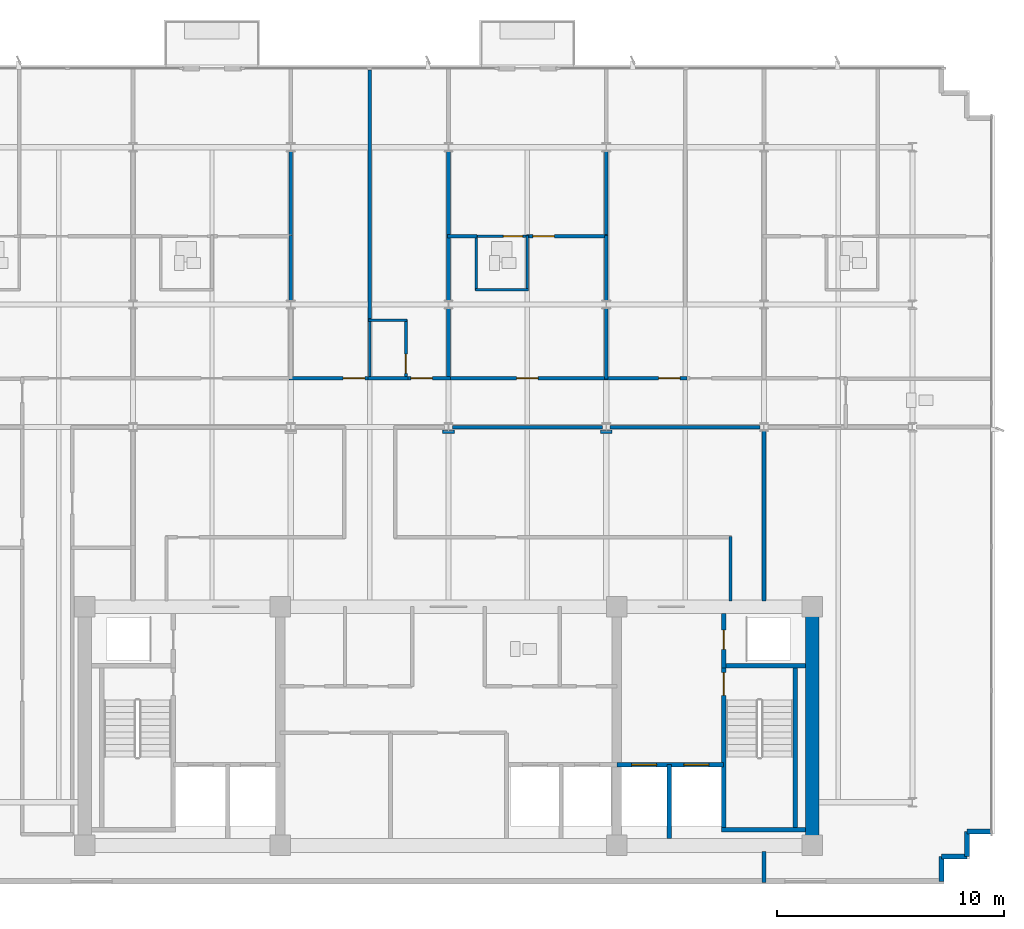
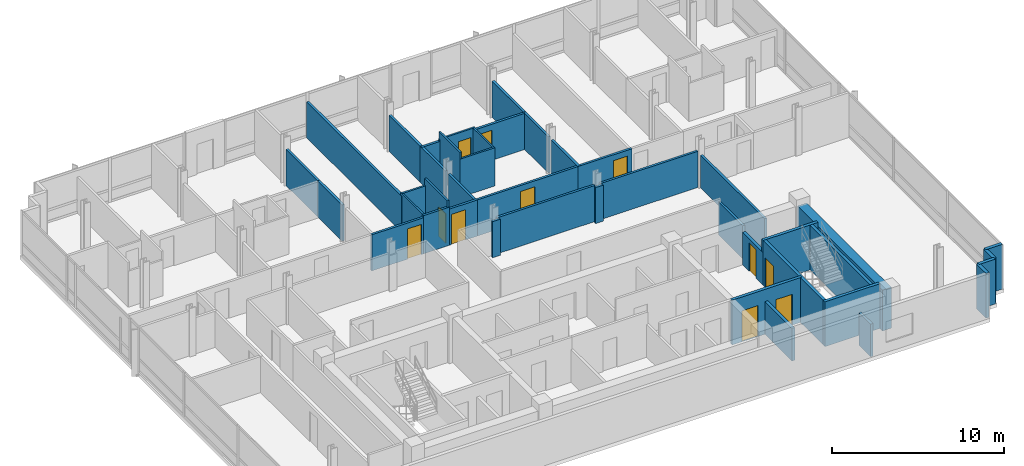
# One storey, part 10 of 15: 42 walls, 11 doors, 11 openings.
"""IFC4 building model written with IfcOpenShell, lengths in metres."""

import ifcopenshell
import ifcopenshell.guid

model = None  # the IFC model being written
_history = None  # IfcOwnerHistory: only IFC2X3 demands one
_inside = {}  # id of a spatial element -> (the spatial element, [elements in it])
_under = {}  # id of a project, library or spatial element -> (it, [spatial elements below it])
_declared = {}  # id of a project -> (the project, [libraries it declares])
_typed = {}  # id of a type object -> (the type object, [elements of that type])
_made_of = {}  # id of a material, layer set ... -> (it, [elements and type objects made of it])


def new_model(schema):
    """Start an empty IFC model of exactly this schema.

    Asked for "IFC4X3", IfcOpenShell would pick the latest addendum, in which some entities
    have other attributes; the version numbers below select the first issue.
    IFC2X3 requires an IfcOwnerHistory on every rooted entity: one is made here for all.
    """
    global model, _history
    if schema == "IFC4X3":
        model = ifcopenshell.file(schema_version=(4, 3, 0, 0))
    else:
        model = ifcopenshell.file(schema=schema)
    _inside.clear()
    _under.clear()
    _declared.clear()
    _typed.clear()
    _made_of.clear()
    _history = None
    if model.schema == "IFC2X3":
        org = make("IfcOrganization", Name="unknown")
        user = make(
            "IfcPersonAndOrganization",
            ThePerson=make("IfcPerson", FamilyName="unknown"),
            TheOrganization=org,
        )
        app = make(
            "IfcApplication",
            ApplicationDeveloper=org,
            Version="unknown",
            ApplicationFullName="unknown",
            ApplicationIdentifier="unknown",
        )
        _history = make(
            "IfcOwnerHistory",
            OwningUser=user,
            OwningApplication=app,
            ChangeAction="ADDED",
            CreationDate=0,
        )
    return model


def make(cls, **values):
    """One entity of the class cls with the attributes given. An attribute that is None is left unset."""
    return model.create_entity(
        cls, **{name: value for name, value in values.items() if value is not None}
    )


def rooted(cls, **values):
    """An entity with a GlobalId (a new one), such as an element, a storey or a relation."""
    return make(cls, GlobalId=ifcopenshell.guid.new(), OwnerHistory=_history, **values)


def si_unit(unit_type, name, prefix=None):
    """IfcSIUnit, for example si_unit("LENGTHUNIT", "METRE", prefix="MILLI")."""
    return make("IfcSIUnit", UnitType=unit_type, Prefix=prefix, Name=name)


def assignment(units):
    """IfcUnitAssignment: the units of a project."""
    return None if units is None else make("IfcUnitAssignment", Units=units)


def point(xyz):
    """IfcCartesianPoint."""
    return None if xyz is None else make("IfcCartesianPoint", Coordinates=xyz)


def direction(xyz):
    """IfcDirection."""
    return None if xyz is None else make("IfcDirection", DirectionRatios=xyz)


def frame(location, z_axis=None, x_axis=None):
    """IfcAxis2Placement3D, a coordinate frame: its origin and axes. An axis left out is left unset."""
    return make(
        "IfcAxis2Placement3D",
        Location=point(location),
        Axis=direction(z_axis),
        RefDirection=direction(x_axis),
    )


def frame_2d(location, x_axis=None):
    """IfcAxis2Placement2D, a coordinate frame in the plane: its origin and x axis."""
    return make(
        "IfcAxis2Placement2D", Location=point(location), RefDirection=direction(x_axis)
    )


def origin():
    """The frame at (0, 0, 0) with its axes left unset."""
    return frame((0.0, 0.0, 0.0))


def place(relative_to, where):
    """IfcLocalPlacement: puts the frame where relative to a parent placement (None: the world)."""
    return make(
        "IfcLocalPlacement", PlacementRelTo=relative_to, RelativePlacement=where
    )


def context(
    kind, dimensions, precision=None, world=None, true_north=None, identifier=None
):
    """IfcGeometricRepresentationContext, for example the 3D "Model" context."""
    return make(
        "IfcGeometricRepresentationContext",
        ContextIdentifier=identifier,
        ContextType=kind,
        CoordinateSpaceDimension=dimensions,
        Precision=precision,
        WorldCoordinateSystem=world,
        TrueNorth=true_north,
    )


def subcontext(parent, identifier, kind, view, scale=None):
    """IfcGeometricRepresentationSubContext, for example "Body" below "Model"."""
    return make(
        "IfcGeometricRepresentationSubContext",
        ContextIdentifier=identifier,
        ContextType=kind,
        ParentContext=parent,
        TargetScale=scale,
        TargetView=view,
    )


def project(units=None, contexts=None):
    """IfcProject with its units and contexts."""
    return rooted(
        "IfcProject",
        Name="project",
        RepresentationContexts=contexts,
        UnitsInContext=assignment(units),
    )


def spatial(cls, under=None, at=None, **own):
    """A site, building, storey or space (cls), placed at a placement, below another one or the project."""
    s = rooted(cls, ObjectPlacement=at, **own)
    if under is not None:
        _under.setdefault(under.id(), (under, []))[1].append(s)
    return s


def profile(cls, at=None, kind="AREA", **sizes):
    """A parametric profile (cls). Its sizes go by their IFC names, for example OverallWidth=200.0."""
    return make(cls, ProfileType=kind, Position=at, **sizes)


def rectangle(**sizes):
    """IfcRectangleProfileDef."""
    return profile("IfcRectangleProfileDef", **sizes)


def extrude(swept, where, along, depth):
    """IfcExtrudedAreaSolid: the profile swept, set in the frame where, extruded along a direction by depth."""
    return make(
        "IfcExtrudedAreaSolid",
        SweptArea=swept,
        Position=where,
        ExtrudedDirection=direction(along),
        Depth=depth,
    )


def shape(context_of_items, identifier, shape_type, items):
    """IfcShapeRepresentation: the items that make up one representation, for example the "Body"."""
    return make(
        "IfcShapeRepresentation",
        ContextOfItems=context_of_items,
        RepresentationIdentifier=identifier,
        RepresentationType=shape_type,
        Items=items,
    )


def material(Name=None, Category=None):
    """IfcMaterial."""
    return make("IfcMaterial", Name=Name, Category=Category)


def layer(
    of_material, thickness, ventilated=None, Name=None, Category=None, Priority=None
):
    """IfcMaterialLayer: one layer of a wall or slab, of a material (None: an air gap)."""
    return make(
        "IfcMaterialLayer",
        Material=of_material,
        LayerThickness=thickness,
        IsVentilated=ventilated,
        Name=Name,
        Category=Category,
        Priority=Priority,
    )


def layer_set(layers, Name=None):
    """IfcMaterialLayerSet."""
    return make("IfcMaterialLayerSet", MaterialLayers=layers, LayerSetName=Name)


def made_of(thing, what):
    """Note that an element or type object is made of a material, layer set ...; save() writes the relation."""
    if what is not None:
        _made_of.setdefault(what.id(), (what, []))[1].append(thing)
    return thing


def type_object(cls, material=None, **own):
    """A type object (cls), such as IfcWallType, which elements share."""
    return made_of(rooted(cls, **own), material)


def element(
    cls,
    number,
    at=None,
    inside=None,
    cuts=None,
    type_object=None,
    material=None,
    context=None,
    identifier="Body",
    shape_type=None,
    held_by="IfcProductDefinitionShape",
    body=None,
    shapes=None,
    **own,
):
    """One element of the class cls, such as IfcWall. Its Tag is "e" and its number.

    at: its placement. inside: the storey or other place that contains it. cuts: it is an
    opening in that element (IfcRelVoidsElement). A single representation is given by context,
    identifier, shape_type and body (its items); several are given by shapes. held_by: the class
    of the entity that holds the representations. save() writes the other relations.
    """
    e = rooted(cls, Tag="e%d" % number, ObjectPlacement=at, **own)
    if body is not None:
        shapes = [shape(context, identifier, shape_type, body)]
    if shapes is not None:
        e.Representation = make(held_by, Representations=shapes)
    if inside is not None:
        _inside.setdefault(inside.id(), (inside, []))[1].append(e)
    if cuts is not None:
        rooted(
            "IfcRelVoidsElement", RelatingBuildingElement=cuts, RelatedOpeningElement=e
        )
    if type_object is not None:
        _typed.setdefault(type_object.id(), (type_object, []))[1].append(e)
    return made_of(e, material)


def fill(opening, filler):
    """IfcRelFillsElement: the door or window that sits in an opening."""
    return rooted(
        "IfcRelFillsElement",
        RelatingOpeningElement=opening,
        RelatedBuildingElement=filler,
    )


def aggregate(whole, parts):
    """IfcRelAggregates: a whole, such as a stair, and the parts it consists of."""
    return rooted("IfcRelAggregates", RelatingObject=whole, RelatedObjects=parts)


def save(model, path):
    """Write the relations noted so far, then the file.

    IfcRelAggregates (storeys below a building ...), IfcRelContainedInSpatialStructure (elements
    in a storey), IfcRelDefinesByType, IfcRelAssociatesMaterial and IfcRelDeclares: one each for
    every whole, place, type object, material and project.
    """
    for whole, parts in _under.values():
        aggregate(whole, parts)
    for where, things in _inside.values():
        rooted(
            "IfcRelContainedInSpatialStructure",
            RelatedElements=things,
            RelatingStructure=where,
        )
    for kind, things in _typed.values():
        rooted("IfcRelDefinesByType", RelatedObjects=things, RelatingType=kind)
    for what, things in _made_of.values():
        rooted("IfcRelAssociatesMaterial", RelatedObjects=things, RelatingMaterial=what)
    for by, libraries in _declared.values():
        rooted("IfcRelDeclares", RelatingContext=by, RelatedDefinitions=libraries)
    model.write(path)


model = new_model("IFC4")

# Units and contexts
model_context = context("Model", 3, precision=1e-05, world=origin(), true_north=direction((0.0, 1.0)))
body_context = subcontext(model_context, "Body", "Model", "MODEL_VIEW")
ifc_project = project(units=[si_unit("LENGTHUNIT", "METRE"), si_unit("AREAUNIT", "SQUARE_METRE"), si_unit("VOLUMEUNIT", "CUBIC_METRE"), si_unit("PLANEANGLEUNIT", "RADIAN"), si_unit("MASSUNIT", "GRAM", prefix="KILO")], contexts=[model_context])

# Site, building, storey
site_placement = place(None, origin())
site = spatial("IfcSite", under=ifc_project, at=site_placement, CompositionType="ELEMENT")
building_placement = place(site_placement, origin())
building = spatial("IfcBuilding", under=site, at=building_placement, Name="Solmavex Isthmus Hotel", CompositionType="ELEMENT")
storey_placement = place(building_placement, frame((0.0, 0.0, 259.199951171875)))
storey = spatial("IfcBuildingStorey", under=building, at=storey_placement, Name="L70", CompositionType="ELEMENT", Elevation=259.199951171875)

# Walls
ifc_material_1 = material(Name="Precast Concrete C40/50", Category="concrete")
ifc_layer_1 = layer(ifc_material_1, 0.25)
ifc_layer_set_1 = layer_set([ifc_layer_1], Name="Precast Concrete C40/50")
wall_type_1 = type_object("IfcWallType", Name="EW-TWR-250", PredefinedType="STANDARD", material=ifc_layer_set_1)
wall_1_placement = place(storey_placement, frame((23.889892578125, -12.389892578125, 0.0), z_axis=(0.0, 0.0, 1.0), x_axis=(-1.0, 0.0, 0.0)))
element("IfcWall", 1, at=wall_1_placement, inside=storey, type_object=wall_type_1, Name="Serrated Corner Facade Panel L70-16", PredefinedType="STANDARD", context=body_context, shape_type="SweptSolid", body=[
    extrude(rectangle(XDim=1.099853515625, YDim=0.219970703125, at=frame_2d((0.5498046875, 0.0))), origin(), (0.0, 0.0, 1.0), 3.18994140625),
])
for number, where, z_axis, x_axis, name in (
    (2, (22.7900390625, -12.389892578125, 0.0), (0.0, 0.0, 1.0), (0.0, -1.0, 0.0), "Serrated Corner Facade Panel L70-17"),
    (3, (22.7900390625, -13.489990234375, 0.0), (0.0, 0.0, 1.0), (-1.0, 0.0, 0.0), "Serrated Corner Facade Panel L70-18"),
    (4, (21.68994140625, -13.489990234375, 0.0), (0.0, 0.0, 1.0), (0.0, -1.0, 0.0), "Serrated Corner Facade Panel L70-19"),
):
    element("IfcWall", number, at=place(storey_placement, frame(where, z_axis=z_axis, x_axis=x_axis)), inside=storey, type_object=wall_type_1, Name=name, PredefinedType="STANDARD", context=body_context, shape_type="SweptSolid", body=[
        extrude(rectangle(XDim=1.10009765625, YDim=0.219970703125, at=frame_2d((0.550048828125, 0.0))), origin(), (0.0, 0.0, 1.0), 3.18994140625),
    ])
ifc_material_2 = material(Name="Gypsum plasterboard lining", Category="gypsum")
ifc_layer_2 = layer(ifc_material_2, 0.159912109375)
ifc_layer_set_2 = layer_set([ifc_layer_2], Name="Gypsum plasterboard lining")
wall_type_2 = type_object("IfcWallType", Name="IW-COMP-160", PredefinedType="PARTITIONING", material=ifc_layer_set_2)
wall_2_placement = place(storey_placement, frame((-6.93603515625, 13.827880859375, 0.0), z_axis=(0.0, 0.0, 1.0), x_axis=(0.0, -1.0, 0.0)))
element("IfcWall", 5, at=wall_2_placement, inside=storey, type_object=wall_type_2, Name="Interior Partition Wall W-L70-P051", PredefinedType="PARTITIONING", context=body_context, shape_type="SweptSolid", body=[
    extrude(rectangle(XDim=2.864990234375, YDim=0.159912109375, at=frame_2d((1.4326171875, 0.0))), origin(), (0.0, 0.0, 1.0), 2.572265625),
])
wall_3_placement = place(storey_placement, frame((-6.93603515625, 17.52490234375, 0.0), z_axis=(0.0, 0.0, 1.0), x_axis=(0.0, -1.0, 0.0)))
element("IfcWall", 6, at=wall_3_placement, inside=storey, type_object=wall_type_2, Name="Interior Partition Wall W-L70-P053", PredefinedType="PARTITIONING", context=body_context, shape_type="SweptSolid", body=[
    extrude(rectangle(XDim=3.77685546875, YDim=0.159912109375, at=frame_2d((1.888427734375, 0.0))), origin(), (0.0, 0.0, 1.0), 2.572265625),
])
wall_4_placement = place(storey_placement, frame((-3.468017578125, 21.10009765625, 0.0), z_axis=(0.0, 0.0, 1.0), x_axis=(0.0, -1.0, 0.0)))
element("IfcWall", 7, at=wall_4_placement, inside=storey, type_object=wall_type_2, Name="Interior Partition Wall W-L70-P055", PredefinedType="PARTITIONING", context=body_context, shape_type="SweptSolid", body=[
    extrude(rectangle(XDim=11.08203125, YDim=0.159912109375, at=frame_2d((5.541015625, 0.0))), origin(), (0.0, 0.0, 1.0), 2.5576171875),
])
wall_5_placement = place(storey_placement, frame((0.0, 10.613037109375, 0.0), z_axis=(0.0, 0.0, 1.0), x_axis=(0.0, -1.0, 0.0)))
element("IfcWall", 8, at=wall_5_placement, inside=storey, type_object=wall_type_2, Name="Interior Partition Wall W-L70-P059", PredefinedType="PARTITIONING", context=body_context, shape_type="SweptSolid", body=[
    extrude(rectangle(XDim=3.10302734375, YDim=0.159912109375, at=frame_2d((1.551513671875, 0.0))), origin(), (0.0, 0.0, 1.0), 2.572265625),
])
wall_6_placement = place(storey_placement, frame((0.0, 13.8701171875, 0.0), z_axis=(0.0, 0.0, 1.0), x_axis=(0.0, -1.0, 0.0)))
element("IfcWall", 9, at=wall_6_placement, inside=storey, type_object=wall_type_2, Name="Interior Partition Wall W-L70-P060", PredefinedType="PARTITIONING", context=body_context, shape_type="SweptSolid", body=[
    extrude(rectangle(XDim=2.9072265625, YDim=0.159912109375, at=frame_2d((1.45361328125, 0.0))), origin(), (0.0, 0.0, 1.0), 2.572265625),
])
wall_7_placement = place(storey_placement, frame((0.0, 17.52490234375, 0.0), z_axis=(0.0, 0.0, 1.0), x_axis=(0.0, -1.0, 0.0)))
element("IfcWall", 10, at=wall_7_placement, inside=storey, type_object=wall_type_2, Name="Interior Partition Wall W-L70-P061", PredefinedType="PARTITIONING", context=body_context, shape_type="SweptSolid", body=[
    extrude(rectangle(XDim=3.81884765625, YDim=0.159912109375, at=frame_2d((1.909423828125, 0.0))), origin(), (0.0, 0.0, 1.0), 2.572265625),
])
wall_8_placement = place(storey_placement, frame((-0.0400390625, 13.7880859375, 0.0), z_axis=(0.0, 0.0, 1.0), x_axis=(1.0, 0.0, 0.0)))
element("IfcWall", 11, at=wall_8_placement, inside=storey, type_object=wall_type_2, Name="Interior Partition Wall W-L70-P063", PredefinedType="PARTITIONING", context=body_context, shape_type="SweptSolid", body=[
    extrude(rectangle(XDim=1.298095703125, YDim=0.159912109375, at=frame_2d((0.64892578125, 0.0))), origin(), (0.0, 0.0, 1.0), 2.572265625),
])

# Wall, opening, door
wall_9_placement = place(storey_placement, frame((3.427978515625, 13.7880859375, 0.0), z_axis=(0.0, 0.0, 1.0), x_axis=(1.0, 0.0, 0.0)))
wall_9 = element("IfcWall", 12, at=wall_9_placement, inside=storey, type_object=wall_type_2, Name="Interior Partition Wall W-L70-P064", PredefinedType="PARTITIONING", context=body_context, shape_type="SweptSolid", body=[
    extrude(rectangle(XDim=3.548095703125, YDim=0.159912109375, at=frame_2d((1.77392578125, 0.0))), origin(), (0.0, 0.0, 1.0), 2.572265625),
])
opening_1_placement = place(wall_9_placement, frame((0.279296875, 0.0, 0.0)))
opening_1 = element("IfcOpeningElement", 13, at=opening_1_placement, cuts=wall_9, Name="Opening ID-C095", PredefinedType="OPENING", context=body_context, shape_type="SweptSolid", body=[
    extrude(rectangle(XDim=0.949951171875, YDim=2.14990234375, at=frame_2d((0.47509765625, 1.074951171875))), frame((0.0, 0.08984375, 0.0), z_axis=(0.0, -1.0, 0.0), x_axis=(1.0, 0.0, 0.0)), (0.0, 0.0, 1.0), 0.179931640625),
])
ifc_material_3 = material(Name="Hardwood timber", Category="wood")
door_type_1 = type_object("IfcDoorType", Name="IDR-FD60-0950", OperationType="NOTDEFINED", PredefinedType="DOOR", material=ifc_material_3)
door_1_placement = place(opening_1_placement, origin())
door_1 = element("IfcDoor", 14, at=door_1_placement, inside=storey, type_object=door_type_1, Name="Diplomatic Suite Master Bedroom Door L70-12", OperationType="SINGLE_SWING_RIGHT", OverallHeight=2.14990234375, OverallWidth=0.949951171875, PredefinedType="DOOR", context=body_context, shape_type="SweptSolid", body=[
    extrude(rectangle(XDim=0.949951171875, YDim=2.14990234375, at=frame_2d((0.47509765625, 1.074951171875))), frame((0.0, 0.02490234375, 0.0), z_axis=(0.0, -1.0, 0.0), x_axis=(1.0, 0.0, 0.0)), (0.0, 0.0, 1.0), 0.050048828125),
])
fill(opening_1, door_1)

# Walls
wall_10_placement = place(storey_placement, frame((6.93603515625, 10.613037109375, 0.0), z_axis=(0.0, 0.0, 1.0), x_axis=(0.0, -1.0, 0.0)))
element("IfcWall", 15, at=wall_10_placement, inside=storey, type_object=wall_type_2, Name="Interior Partition Wall W-L70-P068", PredefinedType="PARTITIONING", context=body_context, shape_type="SweptSolid", body=[
    extrude(rectangle(XDim=3.10302734375, YDim=0.159912109375, at=frame_2d((1.551513671875, 0.0))), origin(), (0.0, 0.0, 1.0), 2.572265625),
])
wall_11_placement = place(storey_placement, frame((6.93603515625, 13.827880859375, 0.0), z_axis=(0.0, 0.0, 1.0), x_axis=(0.0, -1.0, 0.0)))
element("IfcWall", 16, at=wall_11_placement, inside=storey, type_object=wall_type_2, Name="Interior Partition Wall W-L70-P069", PredefinedType="PARTITIONING", context=body_context, shape_type="SweptSolid", body=[
    extrude(rectangle(XDim=2.864990234375, YDim=0.159912109375, at=frame_2d((1.4326171875, 0.0))), origin(), (0.0, 0.0, 1.0), 2.572265625),
])
wall_12_placement = place(storey_placement, frame((6.93603515625, 17.52490234375, 0.0), z_axis=(0.0, 0.0, 1.0), x_axis=(0.0, -1.0, 0.0)))
element("IfcWall", 17, at=wall_12_placement, inside=storey, type_object=wall_type_2, Name="Interior Partition Wall W-L70-P071", PredefinedType="PARTITIONING", context=body_context, shape_type="SweptSolid", body=[
    extrude(rectangle(XDim=3.77685546875, YDim=0.159912109375, at=frame_2d((1.888427734375, 0.0))), origin(), (0.0, 0.0, 1.0), 2.572265625),
])
wall_13_placement = place(storey_placement, frame((13.8720703125, 5.22509765625, 0.0), z_axis=(0.0, 0.0, 1.0), x_axis=(0.0, -1.0, 0.0)))
element("IfcWall", 18, at=wall_13_placement, inside=storey, type_object=wall_type_2, Name="Interior Partition Wall W-L70-P094", PredefinedType="PARTITIONING", context=body_context, shape_type="SweptSolid", body=[
    extrude(rectangle(XDim=7.465087890625, YDim=0.159912109375, at=frame_2d((3.732421875, 0.0))), origin(), (0.0, 0.0, 1.0), 2.324951171875),
])
wall_14_placement = place(storey_placement, frame((13.8720703125, -13.260009765625, 0.0), z_axis=(0.0, 0.0, 1.0), x_axis=(0.0, -1.0, 0.0)))
element("IfcWall", 19, at=wall_14_placement, inside=storey, type_object=wall_type_2, Name="Interior Partition Wall W-L70-P095", PredefinedType="PARTITIONING", context=body_context, shape_type="SweptSolid", body=[
    extrude(rectangle(XDim=1.360107421875, YDim=0.159912109375, at=frame_2d((0.68017578125, 0.0))), origin(), (0.0, 0.0, 1.0), 2.324951171875),
])

# Wall, opening, door
ifc_layer_3 = layer(ifc_material_2, 0.14990234375)
ifc_layer_set_3 = layer_set([ifc_layer_3], Name="Gypsum plasterboard lining")
wall_type_3 = type_object("IfcWallType", Name="IW-CORR-150", PredefinedType="PARTITIONING", material=ifc_layer_set_3)
wall_15_placement = place(storey_placement, frame((-7.01806640625, 7.550048828125, 0.0), z_axis=(0.0, 0.0, 1.0), x_axis=(1.0, 0.0, 0.0)))
wall_15 = element("IfcWall", 20, at=wall_15_placement, inside=storey, type_object=wall_type_3, Name="Interior Partition Wall W-L70-P003", PredefinedType="PARTITIONING", context=body_context, shape_type="SweptSolid", body=[
    extrude(rectangle(XDim=3.632080078125, YDim=0.14990234375, at=frame_2d((1.81591796875, 0.0))), origin(), (0.0, 0.0, 1.0), 2.572265625),
])
opening_2_placement = place(wall_15_placement, frame((2.38525390625, 0.0, 0.0)))
opening_2 = element("IfcOpeningElement", 21, at=opening_2_placement, cuts=wall_15, Name="Opening ID-C095", PredefinedType="OPENING", context=body_context, shape_type="SweptSolid", body=[
    extrude(rectangle(XDim=0.949951171875, YDim=2.14990234375, at=frame_2d((0.47509765625, 1.074951171875))), frame((0.0, 0.0849609375, 0.0), z_axis=(0.0, -1.0, 0.0), x_axis=(1.0, 0.0, 0.0)), (0.0, 0.0, 1.0), 0.169921875),
])
door_2_placement = place(opening_2_placement, origin())
door_2 = element("IfcDoor", 22, at=door_2_placement, inside=storey, type_object=door_type_1, Name="Executive Briefing Office Door L70-08", OperationType="SINGLE_SWING_RIGHT", OverallHeight=2.14990234375, OverallWidth=0.949951171875, PredefinedType="DOOR", context=body_context, shape_type="SweptSolid", body=[
    extrude(rectangle(XDim=0.949951171875, YDim=2.14990234375, at=frame_2d((0.47509765625, 1.074951171875))), frame((0.0, 0.02490234375, 0.0), z_axis=(0.0, -1.0, 0.0), x_axis=(1.0, 0.0, 0.0)), (0.0, 0.0, 1.0), 0.050048828125),
])
fill(opening_2, door_2)

wall_16_placement = place(storey_placement, frame((-1.954833984375, 7.550048828125, 0.0), z_axis=(0.0, 0.0, 1.0), x_axis=(1.0, 0.0, 0.0)))
wall_16 = element("IfcWall", 23, at=wall_16_placement, inside=storey, type_object=wall_type_3, Name="Interior Partition Wall W-L70-P004", PredefinedType="PARTITIONING", context=body_context, shape_type="SweptSolid", body=[
    extrude(rectangle(XDim=2.036865234375, YDim=0.14990234375, at=frame_2d((1.0185546875, 0.0))), origin(), (0.0, 0.0, 1.0), 2.572265625),
])
opening_3_placement = place(wall_16_placement, frame((0.296875, 0.0, 0.0)))
opening_3 = element("IfcOpeningElement", 24, at=opening_3_placement, cuts=wall_16, Name="Opening ID-C095", PredefinedType="OPENING", context=body_context, shape_type="SweptSolid", body=[
    extrude(rectangle(XDim=0.949951171875, YDim=2.14990234375, at=frame_2d((0.47509765625, 1.074951171875))), frame((0.0, 0.0849609375, 0.0), z_axis=(0.0, -1.0, 0.0), x_axis=(1.0, 0.0, 0.0)), (0.0, 0.0, 1.0), 0.169921875),
])
door_3_placement = place(opening_3_placement, origin())
door_3 = element("IfcDoor", 25, at=door_3_placement, inside=storey, type_object=door_type_1, Name="Ambassador Suite Door L70-09", OperationType="SINGLE_SWING_LEFT", OverallHeight=2.14990234375, OverallWidth=0.949951171875, PredefinedType="DOOR", context=body_context, shape_type="SweptSolid", body=[
    extrude(rectangle(XDim=0.949951171875, YDim=2.14990234375, at=frame_2d((0.47509765625, 1.074951171875))), frame((0.0, 0.02490234375, 0.0), z_axis=(0.0, -1.0, 0.0), x_axis=(1.0, 0.0, 0.0)), (0.0, 0.0, 1.0), 0.050048828125),
])
fill(opening_3, door_3)

# Wall
wall_17_placement = place(storey_placement, frame((-3.550048828125, 7.550048828125, 0.0), z_axis=(0.0, 0.0, 1.0), x_axis=(1.0, 0.0, 0.0)))
element("IfcWall", 26, at=wall_17_placement, inside=storey, type_object=wall_type_3, Name="Interior Partition Wall W-L70-P005", PredefinedType="PARTITIONING", context=body_context, shape_type="SweptSolid", body=[
    extrude(rectangle(XDim=1.75927734375, YDim=0.14990234375, at=frame_2d((0.879638671875, 0.0))), origin(), (0.0, 0.0, 1.0), 2.71826171875),
])

# Wall, opening, door
wall_18_placement = place(storey_placement, frame((-0.08203125, 7.550048828125, 0.0), z_axis=(0.0, 0.0, 1.0), x_axis=(1.0, 0.0, 0.0)))
wall_18 = element("IfcWall", 27, at=wall_18_placement, inside=storey, type_object=wall_type_3, Name="Interior Partition Wall W-L70-P006", PredefinedType="PARTITIONING", context=body_context, shape_type="SweptSolid", body=[
    extrude(rectangle(XDim=7.10009765625, YDim=0.14990234375, at=frame_2d((3.550048828125, 0.0))), origin(), (0.0, 0.0, 1.0), 2.572265625),
])
opening_4_placement = place(wall_18_placement, frame((3.074951171875, 0.0, 0.0)))
opening_4 = element("IfcOpeningElement", 28, at=opening_4_placement, cuts=wall_18, Name="Opening ID-C095", PredefinedType="OPENING", context=body_context, shape_type="SweptSolid", body=[
    extrude(rectangle(XDim=0.949951171875, YDim=2.14990234375, at=frame_2d((0.47509765625, 1.074951171875))), frame((0.0, 0.0849609375, 0.0), z_axis=(0.0, -1.0, 0.0), x_axis=(1.0, 0.0, 0.0)), (0.0, 0.0, 1.0), 0.169921875),
])
door_4_placement = place(opening_4_placement, origin())
door_4 = element("IfcDoor", 29, at=door_4_placement, inside=storey, type_object=door_type_1, Name="Diplomatic Suite Living Salon Door L70-11", OperationType="SINGLE_SWING_LEFT", OverallHeight=2.14990234375, OverallWidth=0.949951171875, PredefinedType="DOOR", context=body_context, shape_type="SweptSolid", body=[
    extrude(rectangle(XDim=0.949951171875, YDim=2.14990234375, at=frame_2d((0.47509765625, 1.074951171875))), frame((0.0, 0.02490234375, 0.0), z_axis=(0.0, -1.0, 0.0), x_axis=(1.0, 0.0, 0.0)), (0.0, 0.0, 1.0), 0.050048828125),
])
fill(opening_4, door_4)

wall_19_placement = place(storey_placement, frame((6.85400390625, 7.550048828125, 0.0), z_axis=(0.0, 0.0, 1.0), x_axis=(1.0, 0.0, 0.0)))
wall_19 = element("IfcWall", 30, at=wall_19_placement, inside=storey, type_object=wall_type_3, Name="Interior Partition Wall W-L70-P007", PredefinedType="PARTITIONING", context=body_context, shape_type="SweptSolid", body=[
    extrude(rectangle(XDim=3.632080078125, YDim=0.14990234375, at=frame_2d((1.81591796875, 0.0))), origin(), (0.0, 0.0, 1.0), 2.572265625),
])
opening_5_placement = place(wall_19_placement, frame((2.38525390625, 0.0, 0.0)))
opening_5 = element("IfcOpeningElement", 31, at=opening_5_placement, cuts=wall_19, Name="Opening ID-C095", PredefinedType="OPENING", context=body_context, shape_type="SweptSolid", body=[
    extrude(rectangle(XDim=0.949951171875, YDim=2.14990234375, at=frame_2d((0.47509765625, 1.074951171875))), frame((0.0, 0.0849609375, 0.0), z_axis=(0.0, -1.0, 0.0), x_axis=(1.0, 0.0, 0.0)), (0.0, 0.0, 1.0), 0.169921875),
])
door_5_placement = place(opening_5_placement, origin())
door_5 = element("IfcDoor", 32, at=door_5_placement, inside=storey, type_object=door_type_1, Name="Sky Reception Lounge Door L70-14", OperationType="SINGLE_SWING_RIGHT", OverallHeight=2.14990234375, OverallWidth=0.949951171875, PredefinedType="DOOR", context=body_context, shape_type="SweptSolid", body=[
    extrude(rectangle(XDim=0.949951171875, YDim=2.14990234375, at=frame_2d((0.47509765625, 1.074951171875))), frame((0.0, 0.02490234375, 0.0), z_axis=(0.0, -1.0, 0.0), x_axis=(1.0, 0.0, 0.0)), (0.0, 0.0, 1.0), 0.050048828125),
])
fill(opening_5, door_5)

# Walls
wall_20_placement = place(storey_placement, frame((13.697021484375, 5.39990234375, 0.0), z_axis=(0.0, 0.0, 1.0), x_axis=(-1.0, 0.0, 0.0)))
element("IfcWall", 33, at=wall_20_placement, inside=storey, type_object=wall_type_3, Name="Interior Partition Wall W-L70-P021", PredefinedType="PARTITIONING", context=body_context, shape_type="SweptSolid", body=[
    extrude(rectangle(XDim=6.5859375, YDim=0.14990234375, at=frame_2d((3.29296875, 0.0))), origin(), (0.0, 0.0, 1.0), 2.572265625),
])
wall_21_placement = place(storey_placement, frame((7.19091796875, 5.18505859375, 0.0), z_axis=(0.0, 0.0, 1.0), x_axis=(-1.0, 0.0, 0.0)))
element("IfcWall", 34, at=wall_21_placement, inside=storey, type_object=wall_type_3, Name="Interior Partition Wall W-L70-P022", PredefinedType="PARTITIONING", context=body_context, shape_type="SweptSolid", body=[
    extrude(rectangle(XDim=0.510009765625, YDim=0.14990234375, at=frame_2d((0.2548828125, 0.0))), origin(), (0.0, 0.0, 1.0), 2.572265625),
])
wall_22_placement = place(storey_placement, frame((6.760986328125, 5.39990234375, 0.0), z_axis=(0.0, 0.0, 1.0), x_axis=(-1.0, 0.0, 0.0)))
element("IfcWall", 35, at=wall_22_placement, inside=storey, type_object=wall_type_3, Name="Interior Partition Wall W-L70-P023", PredefinedType="PARTITIONING", context=body_context, shape_type="SweptSolid", body=[
    extrude(rectangle(XDim=6.5859375, YDim=0.14990234375, at=frame_2d((3.29296875, 0.0))), origin(), (0.0, 0.0, 1.0), 2.572265625),
])
wall_23_placement = place(storey_placement, frame((0.2548828125, 5.18505859375, 0.0), z_axis=(0.0, 0.0, 1.0), x_axis=(-1.0, 0.0, 0.0)))
element("IfcWall", 36, at=wall_23_placement, inside=storey, type_object=wall_type_3, Name="Interior Partition Wall W-L70-P024", PredefinedType="PARTITIONING", context=body_context, shape_type="SweptSolid", body=[
    extrude(rectangle(XDim=0.509765625, YDim=0.14990234375, at=frame_2d((0.2548828125, 0.0))), origin(), (0.0, 0.0, 1.0), 2.572265625),
])
wall_24_placement = place(storey_placement, frame((12.39990234375, 0.590087890625, 0.0), z_axis=(0.0, 0.0, 1.0), x_axis=(0.0, -1.0, 0.0)))
element("IfcWall", 37, at=wall_24_placement, inside=storey, type_object=wall_type_3, Name="Interior Partition Wall W-L70-P028", PredefinedType="PARTITIONING", context=body_context, shape_type="SweptSolid", body=[
    extrude(rectangle(XDim=2.830078125, YDim=0.14990234375, at=frame_2d((1.4150390625, 0.0))), origin(), (0.0, 0.0, 1.0), 2.324951171875),
])
ifc_layer_4 = layer(ifc_material_2, 0.1201171875)
ifc_layer_set_4 = layer_set([ifc_layer_4], Name="Gypsum plasterboard lining")
wall_type_4 = type_object("IfcWallType", Name="IW-PART-120", PredefinedType="PARTITIONING", material=ifc_layer_set_4)
wall_25_placement = place(storey_placement, frame((-3.468017578125, 10.181884765625, 0.0), z_axis=(0.0, 0.0, 1.0), x_axis=(0.0, -1.0, 0.0)))
element("IfcWall", 38, at=wall_25_placement, inside=storey, type_object=wall_type_4, Name="Interior Partition Wall W-L70-P056", PredefinedType="PARTITIONING", context=body_context, shape_type="SweptSolid", body=[
    extrude(rectangle(XDim=2.671875, YDim=0.1201171875, at=frame_2d((1.3359375, 0.0))), origin(), (0.0, 0.0, 1.0), 2.71826171875),
])

# Wall, opening, door
wall_26_placement = place(storey_placement, frame((-1.872802734375, 7.510009765625, 0.0), z_axis=(0.0, 0.0, 1.0), x_axis=(0.0, 1.0, 0.0)))
wall_26 = element("IfcWall", 39, at=wall_26_placement, inside=storey, type_object=wall_type_4, Name="Interior Partition Wall W-L70-P057", PredefinedType="PARTITIONING", context=body_context, shape_type="SweptSolid", body=[
    extrude(rectangle(XDim=2.6298828125, YDim=0.1201171875, at=frame_2d((1.31494140625, 0.0))), origin(), (0.0, 0.0, 1.0), 3.18994140625),
])
opening_6_placement = place(wall_26_placement, frame((0.247314453125, 0.0, 0.0)))
opening_6 = element("IfcOpeningElement", 40, at=opening_6_placement, cuts=wall_26, Name="Opening ID-U085", PredefinedType="OPENING", context=body_context, shape_type="SweptSolid", body=[
    extrude(rectangle(XDim=0.85009765625, YDim=2.10009765625, at=frame_2d((0.425048828125, 1.050048828125))), frame((0.0, 0.070068359375, 0.0), z_axis=(0.0, -1.0, 0.0), x_axis=(1.0, 0.0, 0.0)), (0.0, 0.0, 1.0), 0.14013671875),
])
door_type_2 = type_object("IfcDoorType", Name="IDR-UNR-0850", OperationType="NOTDEFINED", PredefinedType="DOOR", material=ifc_material_3)
door_6_placement = place(opening_6_placement, origin())
door_6 = element("IfcDoor", 41, at=door_6_placement, inside=storey, type_object=door_type_2, Name="En-suite Bathroom Door L70-10", OperationType="SINGLE_SWING_RIGHT", OverallHeight=2.10009765625, OverallWidth=0.85009765625, PredefinedType="DOOR", context=body_context, shape_type="SweptSolid", body=[
    extrude(rectangle(XDim=0.85009765625, YDim=2.10009765625, at=frame_2d((0.425048828125, 1.050048828125))), frame((0.0, 0.02490234375, 0.0), z_axis=(0.0, -1.0, 0.0), x_axis=(1.0, 0.0, 0.0)), (0.0, 0.0, 1.0), 0.050048828125),
])
fill(opening_6, door_6)

# Walls
wall_27_placement = place(storey_placement, frame((-1.832763671875, 10.10009765625, 0.0), z_axis=(0.0, 0.0, 1.0), x_axis=(-1.0, 0.0, 0.0)))
element("IfcWall", 42, at=wall_27_placement, inside=storey, type_object=wall_type_4, Name="Interior Partition Wall W-L70-P058", PredefinedType="PARTITIONING", context=body_context, shape_type="SweptSolid", body=[
    extrude(rectangle(XDim=1.67529296875, YDim=0.1201171875, at=frame_2d((0.837646484375, 0.0))), origin(), (0.0, 0.0, 1.0), 2.71826171875),
])
wall_28_placement = place(storey_placement, frame((1.218017578125, 13.827880859375, 0.0), z_axis=(0.0, 0.0, 1.0), x_axis=(0.0, -1.0, 0.0)))
element("IfcWall", 43, at=wall_28_placement, inside=storey, type_object=wall_type_4, Name="Interior Partition Wall W-L70-P065", PredefinedType="PARTITIONING", context=body_context, shape_type="SweptSolid", body=[
    extrude(rectangle(XDim=2.429931640625, YDim=0.1201171875, at=frame_2d((1.21484375, 0.0))), origin(), (0.0, 0.0, 1.0), 3.18994140625),
])
wall_29_placement = place(storey_placement, frame((1.177978515625, 11.43798828125, 0.0), z_axis=(0.0, 0.0, 1.0), x_axis=(1.0, 0.0, 0.0)))
element("IfcWall", 44, at=wall_29_placement, inside=storey, type_object=wall_type_4, Name="Interior Partition Wall W-L70-P066", PredefinedType="PARTITIONING", context=body_context, shape_type="SweptSolid", body=[
    extrude(rectangle(XDim=2.330078125, YDim=0.1201171875, at=frame_2d((1.1650390625, 0.0))), origin(), (0.0, 0.0, 1.0), 2.71826171875),
])
wall_30_placement = place(storey_placement, frame((3.468017578125, 11.39794921875, 0.0), z_axis=(0.0, 0.0, 1.0), x_axis=(0.0, 1.0, 0.0)))
element("IfcWall", 45, at=wall_30_placement, inside=storey, type_object=wall_type_4, Name="Interior Partition Wall W-L70-P067", PredefinedType="PARTITIONING", context=body_context, shape_type="SweptSolid", body=[
    extrude(rectangle(XDim=2.429931640625, YDim=0.1201171875, at=frame_2d((1.21484375, 0.0))), origin(), (0.0, 0.0, 1.0), 2.71826171875),
])

# Wall, opening, door
wall_31_placement = place(storey_placement, frame((3.550048828125, 13.7880859375, 0.0), z_axis=(0.0, 0.0, 1.0), x_axis=(-1.0, 0.0, 0.0)))
wall_31 = element("IfcWall", 46, at=wall_31_placement, inside=storey, type_object=wall_type_4, Name="Interior Partition Wall W-L70-P070", PredefinedType="PARTITIONING", context=body_context, shape_type="SweptSolid", body=[
    extrude(rectangle(XDim=2.4140625, YDim=0.1201171875, at=frame_2d((1.20703125, 0.0))), origin(), (0.0, 0.0, 1.0), 2.71826171875),
])
opening_7_placement = place(wall_31_placement, frame((0.2919921875, 0.0, 0.0)))
opening_7 = element("IfcOpeningElement", 47, at=opening_7_placement, cuts=wall_31, Name="Opening ID-U085", PredefinedType="OPENING", context=body_context, shape_type="SweptSolid", body=[
    extrude(rectangle(XDim=0.85009765625, YDim=2.10009765625, at=frame_2d((0.425048828125, 1.050048828125))), frame((0.0, 0.070068359375, 0.0), z_axis=(0.0, -1.0, 0.0), x_axis=(1.0, 0.0, 0.0)), (0.0, 0.0, 1.0), 0.14013671875),
])
door_7_placement = place(opening_7_placement, frame((0.85009765625, 0.0, 0.0), z_axis=(0.0, 0.0, 1.0), x_axis=(-1.0, 0.0, 0.0)))
door_7 = element("IfcDoor", 48, at=door_7_placement, inside=storey, type_object=door_type_2, Name="En-suite Bathroom Door L70-13", OperationType="SINGLE_SWING_LEFT", OverallHeight=2.10009765625, OverallWidth=0.85009765625, PredefinedType="DOOR", context=body_context, shape_type="SweptSolid", body=[
    extrude(rectangle(XDim=0.85009765625, YDim=2.10009765625, at=frame_2d((0.425048828125, 1.050048828125))), frame((0.0, 0.02490234375, 0.0), z_axis=(0.0, -1.0, 0.0), x_axis=(1.0, 0.0, 0.0)), (0.0, 0.0, 1.0), 0.050048828125),
])
fill(opening_7, door_7)

ifc_material_4 = material(Name="Concrete C40/50", Category="concrete")
ifc_layer_5 = layer(ifc_material_4, 0.199951171875)
ifc_layer_set_5 = layer_set([ifc_layer_5], Name="Concrete C40/50")
wall_type_5 = type_object("IfcWallType", Name="IW-SHAFT-200", PredefinedType="PARTITIONING", material=ifc_layer_set_5)
wall_32_placement = place(storey_placement, frame((12.10009765625, -5.199951171875, 0.0), z_axis=(0.0, 0.0, 1.0), x_axis=(0.0, 1.0, 0.0)))
wall_32 = element("IfcWall", 49, at=wall_32_placement, inside=storey, type_object=wall_type_5, Name="Interior Partition Wall W-L70-RSE-W", PredefinedType="PARTITIONING", context=body_context, shape_type="SweptSolid", body=[
    extrude(rectangle(XDim=2.39990234375, YDim=0.199951171875, at=frame_2d((1.199951171875, 0.0))), origin(), (0.0, 0.0, 1.0), 2.324951171875),
])
opening_8_placement = place(wall_32_placement, frame((0.824951171875, 0.0, 0.0)))
opening_8 = element("IfcOpeningElement", 50, at=opening_8_placement, cuts=wall_32, Name="Opening ID-R085", PredefinedType="OPENING", context=body_context, shape_type="SweptSolid", body=[
    extrude(rectangle(XDim=0.85009765625, YDim=2.050048828125, at=frame_2d((0.425048828125, 1.02490234375))), frame((0.0, 0.10986328125, 0.0), z_axis=(0.0, -1.0, 0.0), x_axis=(1.0, 0.0, 0.0)), (0.0, 0.0, 1.0), 0.219970703125),
])
ifc_material_5 = material(Name="Steel ASTM A500 Grade C", Category="steel")
door_type_3 = type_object("IfcDoorType", Name="IDR-FD60-0850", OperationType="NOTDEFINED", PredefinedType="DOOR", material=ifc_material_5)
door_8_placement = place(opening_8_placement, frame((0.85009765625, 0.0, 0.0), z_axis=(0.0, 0.0, 1.0), x_axis=(-1.0, 0.0, 0.0)))
door_8 = element("IfcDoor", 51, at=door_8_placement, inside=storey, type_object=door_type_3, Name="Mechanical Riser Door L70", OperationType="SINGLE_SWING_LEFT", OverallHeight=2.050048828125, OverallWidth=0.85009765625, PredefinedType="DOOR", context=body_context, shape_type="SweptSolid", body=[
    extrude(rectangle(XDim=0.85009765625, YDim=2.050048828125, at=frame_2d((0.425048828125, 1.02490234375))), frame((0.0, 0.02490234375, 0.0), z_axis=(0.0, -1.0, 0.0), x_axis=(1.0, 0.0, 0.0)), (0.0, 0.0, 1.0), 0.050048828125),
])
fill(opening_8, door_8)

# Wall, openings, doors
wall_33_placement = place(storey_placement, frame((7.39990234375, -9.449951171875, 0.0), z_axis=(0.0, 0.0, 1.0), x_axis=(1.0, 0.0, 0.0)))
wall_33 = element("IfcWall", 52, at=wall_33_placement, inside=storey, type_object=wall_type_5, Name="Interior Partition Wall W-L70-FFLE-S", PredefinedType="PARTITIONING", context=body_context, shape_type="SweptSolid", body=[
    extrude(rectangle(XDim=4.7001953125, YDim=0.199951171875, at=frame_2d((2.35009765625, 0.0))), origin(), (0.0, 0.0, 1.0), 3.18994140625),
])
opening_9_placement = place(wall_33_placement, frame((2.949951171875, 0.0, 0.0)))
opening_9 = element("IfcOpeningElement", 53, at=opening_9_placement, cuts=wall_33, Name="Opening LD-FF", PredefinedType="OPENING", context=body_context, shape_type="SweptSolid", body=[
    extrude(rectangle(XDim=1.10009765625, YDim=2.199951171875, at=frame_2d((0.550048828125, 1.10009765625))), frame((0.0, 0.10986328125, 0.0), z_axis=(0.0, -1.0, 0.0), x_axis=(1.0, 0.0, 0.0)), (0.0, 0.0, 1.0), 0.219970703125),
])
opening_10_placement = place(wall_33_placement, frame((0.64990234375, 0.0, 0.0)))
opening_10 = element("IfcOpeningElement", 54, at=opening_10_placement, cuts=wall_33, Name="Opening LD-SV", PredefinedType="OPENING", context=body_context, shape_type="SweptSolid", body=[
    extrude(rectangle(XDim=1.10009765625, YDim=2.199951171875, at=frame_2d((0.550048828125, 1.10009765625))), frame((0.0, 0.10986328125, 0.0), z_axis=(0.0, -1.0, 0.0), x_axis=(1.0, 0.0, 0.0)), (0.0, 0.0, 1.0), 0.219970703125),
])
ifc_material_6 = material(Name="Stainless steel 316", Category="steel")
door_type_4 = type_object("IfcDoorType", Name="LDR-FF-1100", OperationType="NOTDEFINED", PredefinedType="DOOR", material=ifc_material_6)
door_9_placement = place(opening_9_placement, origin())
door_9 = element("IfcDoor", 55, at=door_9_placement, inside=storey, type_object=door_type_4, Name="Lift Landing Door FFL-2 L70", OperationType="SLIDING_TO_LEFT", OverallHeight=2.199951171875, OverallWidth=1.10009765625, PredefinedType="DOOR", context=body_context, shape_type="SweptSolid", body=[
    extrude(rectangle(XDim=1.10009765625, YDim=2.199951171875, at=frame_2d((0.550048828125, 1.10009765625))), frame((0.0, 0.02490234375, 0.0), z_axis=(0.0, -1.0, 0.0), x_axis=(1.0, 0.0, 0.0)), (0.0, 0.0, 1.0), 0.050048828125),
])
fill(opening_9, door_9)
door_type_5 = type_object("IfcDoorType", Name="LDR-SV-1100", OperationType="NOTDEFINED", PredefinedType="DOOR", material=ifc_material_6)
door_10_placement = place(opening_10_placement, origin())
door_10 = element("IfcDoor", 56, at=door_10_placement, inside=storey, type_object=door_type_5, Name="Lift Landing Door SVL-2 L70", OperationType="SLIDING_TO_RIGHT", OverallHeight=2.199951171875, OverallWidth=1.10009765625, PredefinedType="DOOR", context=body_context, shape_type="SweptSolid", body=[
    extrude(rectangle(XDim=1.10009765625, YDim=2.199951171875, at=frame_2d((0.550048828125, 1.10009765625))), frame((0.0, 0.02490234375, 0.0), z_axis=(0.0, -1.0, 0.0), x_axis=(1.0, 0.0, 0.0)), (0.0, 0.0, 1.0), 0.050048828125),
])
fill(opening_10, door_10)

# Walls
wall_34_placement = place(storey_placement, frame((9.699951171875, -12.699951171875, 0.0), z_axis=(0.0, 0.0, 1.0), x_axis=(0.0, 1.0, 0.0)))
element("IfcWall", 57, at=wall_34_placement, inside=storey, type_object=wall_type_5, Name="Interior Partition Wall W-L70-FFLE-M", PredefinedType="PARTITIONING", context=body_context, shape_type="SweptSolid", body=[
    extrude(rectangle(XDim=3.25, YDim=0.199951171875, at=frame_2d((1.625, 0.0))), origin(), (0.0, 0.0, 1.0), 2.324951171875),
])
ifc_material_7 = material(Name="Concrete C50/60", Category="concrete")
ifc_layer_6 = layer(ifc_material_7, 0.60009765625)
ifc_layer_set_6 = layer_set([ifc_layer_6], Name="Concrete C50/60")
wall_type_6 = type_object("IfcWallType", Name="WALL-CW-600", PredefinedType="SHEAR", material=ifc_layer_set_6)
wall_35_placement = place(storey_placement, frame((16.0, -12.699951171875, 0.0), z_axis=(0.0, 0.0, 1.0), x_axis=(0.0, 1.0, 0.0)))
element("IfcWall", 58, at=wall_35_placement, inside=storey, type_object=wall_type_6, Name="Core Shear Wall East L70", PredefinedType="SHEAR", context=body_context, shape_type="SweptSolid", body=[
    extrude(rectangle(XDim=9.89990234375, YDim=0.60009765625, at=frame_2d((4.949951171875, 0.0))), origin(), (0.0, 0.0, 1.0), 2.91015625),
])
ifc_layer_7 = layer(ifc_material_4, 0.199951171875)
ifc_layer_set_7 = layer_set([ifc_layer_7], Name="Concrete C40/50")
wall_type_7 = type_object("IfcWallType", Name="WALL-SW-200", PredefinedType="SOLIDWALL", material=ifc_layer_set_7)
for number, where, z_axis, x_axis, name in (
    (59, (12.0, -12.300048828125, 0.0), (0.0, 0.0, 1.0), (1.0, 0.0, 0.0), "Stairwell Structural Wall SW-L70-ST2-S"),
    (60, (12.0, -5.10009765625, 0.0), (0.0, 0.0, 1.0), (1.0, 0.0, 0.0), "Stairwell Structural Wall SW-L70-ST2-N"),
):
    element("IfcWall", number, at=place(storey_placement, frame(where, z_axis=z_axis, x_axis=x_axis)), inside=storey, type_object=wall_type_7, Name=name, PredefinedType="SOLIDWALL", context=body_context, shape_type="SweptSolid", body=[
        extrude(rectangle(XDim=3.699951171875, YDim=0.199951171875, at=frame_2d((1.85009765625, 0.0))), origin(), (0.0, 0.0, 1.0), 3.18994140625),
    ])

# Wall, opening, door
wall_36_placement = place(storey_placement, frame((12.10009765625, -12.199951171875, 0.0), z_axis=(0.0, 0.0, 1.0), x_axis=(0.0, 1.0, 0.0)))
wall_36 = element("IfcWall", 61, at=wall_36_placement, inside=storey, type_object=wall_type_7, Name="Stairwell Structural Wall SW-L70-ST2-W", PredefinedType="SOLIDWALL", context=body_context, shape_type="SweptSolid", body=[
    extrude(rectangle(XDim=7.0, YDim=0.199951171875, at=frame_2d((3.5, 0.0))), origin(), (0.0, 0.0, 1.0), 3.18994140625),
])
opening_11_placement = place(wall_36_placement, frame((5.800048828125, 0.0, 0.0)))
opening_11 = element("IfcOpeningElement", 62, at=opening_11_placement, cuts=wall_36, Name="Opening ID-F100", PredefinedType="OPENING", context=body_context, shape_type="SweptSolid", body=[
    extrude(rectangle(XDim=1.0, YDim=2.10009765625, at=frame_2d((0.5, 1.050048828125))), frame((0.0, 0.10986328125, 0.0), z_axis=(0.0, -1.0, 0.0), x_axis=(1.0, 0.0, 0.0)), (0.0, 0.0, 1.0), 0.219970703125),
])
door_type_6 = type_object("IfcDoorType", Name="IDR-FD90-1000", OperationType="NOTDEFINED", PredefinedType="DOOR", material=ifc_material_5)
door_11_placement = place(opening_11_placement, origin())
door_11 = element("IfcDoor", 63, at=door_11_placement, inside=storey, type_object=door_type_6, Name="Stair ST-2 Fire Door L70", OperationType="SINGLE_SWING_RIGHT", OverallHeight=2.10009765625, OverallWidth=1.0, PredefinedType="DOOR", context=body_context, shape_type="SweptSolid", body=[
    extrude(rectangle(XDim=1.0, YDim=2.10009765625, at=frame_2d((0.5, 1.050048828125))), frame((0.0, 0.02490234375, 0.0), z_axis=(0.0, -1.0, 0.0), x_axis=(1.0, 0.0, 0.0)), (0.0, 0.0, 1.0), 0.050048828125),
])
fill(opening_11, door_11)

# Wall
wall_37_placement = place(storey_placement, frame((15.25, -12.199951171875, 0.0), z_axis=(0.0, 0.0, 1.0), x_axis=(0.0, 1.0, 0.0)))
element("IfcWall", 64, at=wall_37_placement, inside=storey, type_object=wall_type_7, Name="Stairwell Structural Wall SW-L70-ST2-E", PredefinedType="SOLIDWALL", context=body_context, shape_type="SweptSolid", body=[
    extrude(rectangle(XDim=7.0, YDim=0.199951171875, at=frame_2d((3.5, 0.0))), origin(), (0.0, 0.0, 1.0), 3.18994140625),
])

save(model, "model.ifc")
